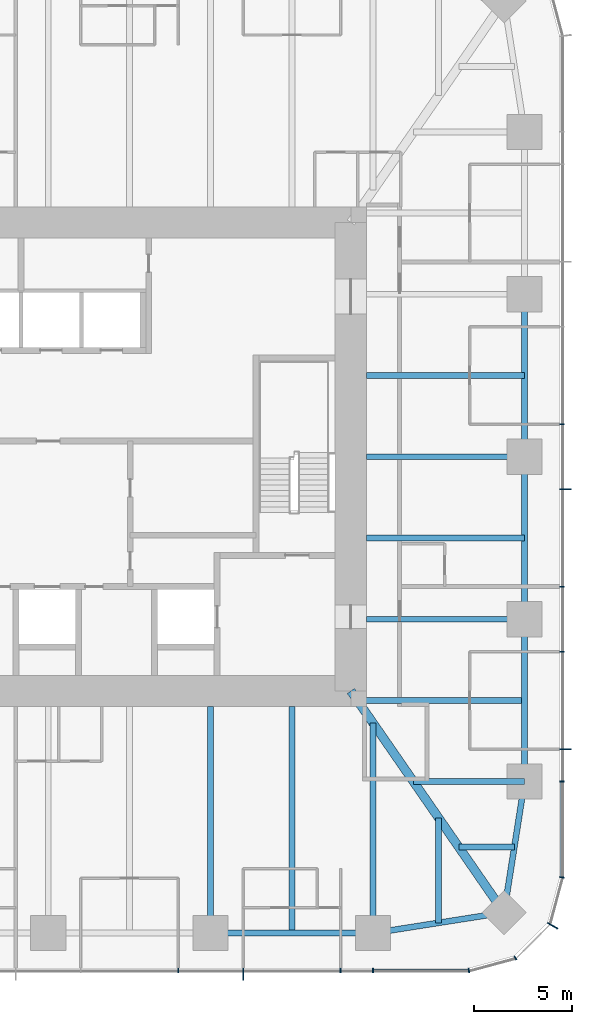
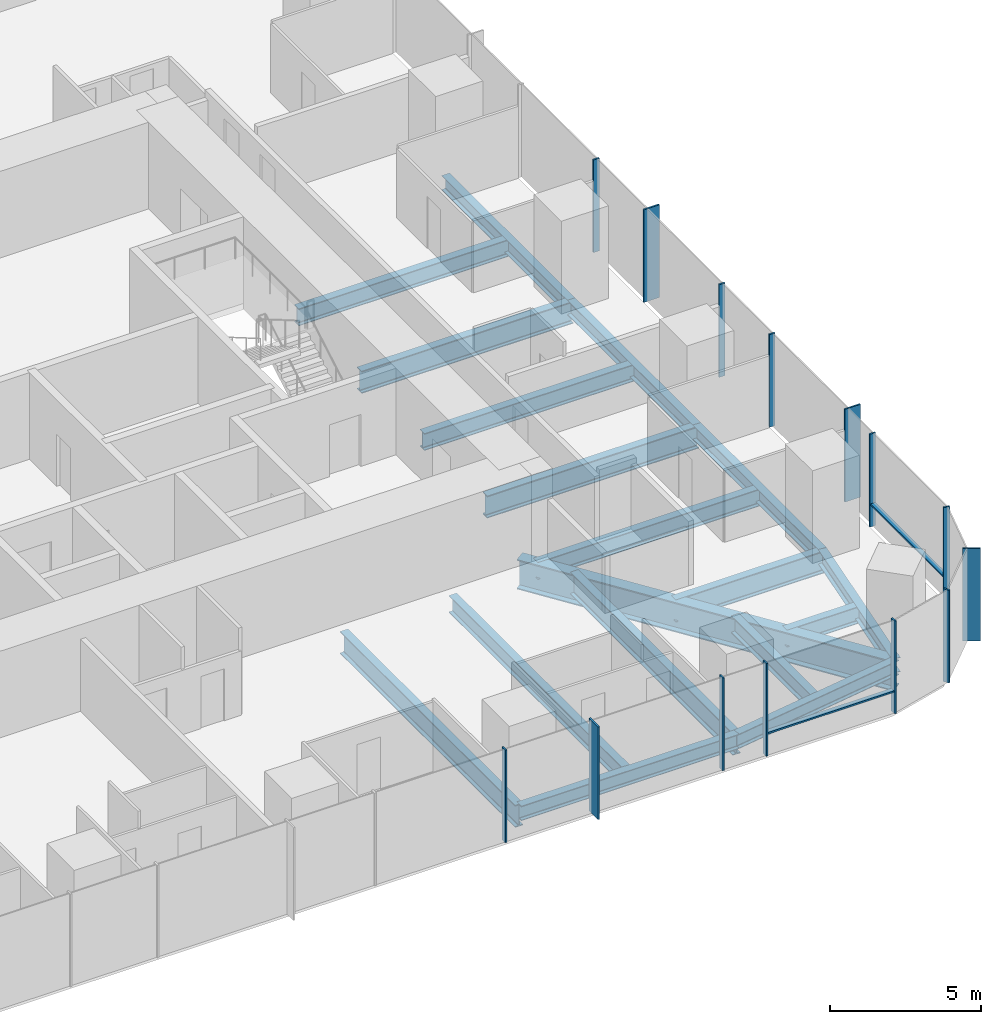
# One storey, part 4 of 12: 18 beams, 16 members, 3 elements without a shape of their own.
"""IFC4 building model written with IfcOpenShell, lengths in metres."""

from ifc_helpers import new_model, si_unit, direction, frame, origin, origin_2d, place, context, subcontext, project, spatial, rectangle, i_section, extrude, material, material_profile, profile_set, type_object, element, aggregate, save


model = new_model("IFC4")

# Units and contexts
model_context = context("Model", 3, precision=1e-05, world=origin(), true_north=direction((0.0, 1.0)))
body_context = subcontext(model_context, "Body", "Model", "MODEL_VIEW")
ifc_project = project(units=[si_unit("LENGTHUNIT", "METRE"), si_unit("AREAUNIT", "SQUARE_METRE"), si_unit("VOLUMEUNIT", "CUBIC_METRE"), si_unit("PLANEANGLEUNIT", "RADIAN"), si_unit("MASSUNIT", "GRAM", prefix="KILO")], contexts=[model_context])

# Site, building, storey
site_placement = place(None, origin())
site = spatial("IfcSite", under=ifc_project, at=site_placement, CompositionType="ELEMENT")
building_placement = place(site_placement, origin())
building = spatial("IfcBuilding", under=site, at=building_placement, Name="Khuree Lantern Residences", CompositionType="ELEMENT")
storey_placement = place(building_placement, frame((0.0, 0.0, 222.0)))
storey = spatial("IfcBuildingStorey", under=building, at=storey_placement, Name="L55", CompositionType="ELEMENT", Elevation=222.0)

# Beams
ifc_material_1 = material(Name="Steel S355", Category="steel")
ifc_material_profile_1 = material_profile(ifc_material_1, i_section(OverallWidth=0.300048828125, OverallDepth=0.68994140625, WebThickness=0.014404296875, FlangeThickness=0.027099609375, FilletRadius=0.027099609375, at=origin_2d()), Name="HE 700 A")
ifc_profile_set_1 = profile_set([ifc_material_profile_1], Name="Steel S355")
beam_type_1 = type_object("IfcBeamType", Name="B-32 SECONDARY BEAM HE 700 A", PredefinedType="BEAM", material=ifc_profile_set_1)
for number, where, z_axis, x_axis, name in (
    (1, (24.39990234375, 4.159912109375, -0.594970703125), (-1.0, 0.0, 0.0), (0.0, -1.0, 0.0), "Secondary beam E3"),
    (2, (24.39990234375, -4.159912109375, -0.594970703125), (-1.0, 0.0, 0.0), (0.0, -1.0, 0.0), "Secondary beam E4"),
):
    element("IfcBeam", number, at=place(storey_placement, frame(where, z_axis=z_axis, x_axis=x_axis)), inside=storey, type_object=beam_type_1, Name=name, PredefinedType="BEAM", context=body_context, shape_type="SweptSolid", body=[
        extrude(i_section(OverallWidth=0.300048828125, OverallDepth=0.68994140625, WebThickness=0.014404296875, FlangeThickness=0.027099609375, FilletRadius=0.027099609375, at=origin_2d()), origin(), (0.0, 0.0, 1.0), 8.099853515625),
    ])
beam_1_placement = place(storey_placement, frame((24.39990234375, -12.47998046875, -0.594970703125), z_axis=(-1.0, 0.0, 0.0), x_axis=(0.0, -1.0, 0.0)))
element("IfcBeam", 3, at=beam_1_placement, inside=storey, type_object=beam_type_1, Name="Secondary beam E5", PredefinedType="BEAM", context=body_context, shape_type="SweptSolid", body=[
    extrude(i_section(OverallWidth=0.300048828125, OverallDepth=0.68994140625, WebThickness=0.014404296875, FlangeThickness=0.027099609375, FilletRadius=0.027099609375, at=origin_2d()), origin(), (0.0, 0.0, 1.0), 8.56787109375),
])
beam_2_placement = place(storey_placement, frame((23.872802734375, -19.992919921875, -0.594970703125), z_axis=(-1.0, 0.0, 0.0), x_axis=(0.0, -1.0, 0.0)))
element("IfcBeam", 4, at=beam_2_placement, inside=storey, type_object=beam_type_1, Name="Secondary beam E6", PredefinedType="BEAM", context=body_context, shape_type="SweptSolid", body=[
    extrude(i_section(OverallWidth=0.300048828125, OverallDepth=0.68994140625, WebThickness=0.014404296875, FlangeThickness=0.027099609375, FilletRadius=0.027099609375, at=origin_2d()), origin(), (0.0, 0.0, 1.0), 2.845703125),
])
beam_3_placement = place(storey_placement, frame((19.992919921875, -23.872802734375, -0.594970703125), z_axis=(0.0, 1.0, 0.0), x_axis=(-1.0, 0.0, 0.0)))
element("IfcBeam", 5, at=beam_3_placement, inside=storey, type_object=beam_type_1, Name="Secondary beam S1", PredefinedType="BEAM", context=body_context, shape_type="SweptSolid", body=[
    extrude(i_section(OverallWidth=0.300048828125, OverallDepth=0.68994140625, WebThickness=0.014404296875, FlangeThickness=0.027099609375, FilletRadius=0.027099609375, at=origin_2d()), origin(), (0.0, 0.0, 1.0), 5.375732421875),
])
beam_4_placement = place(storey_placement, frame((12.47998046875, -24.39990234375, -0.594970703125), z_axis=(0.0, 1.0, 0.0), x_axis=(-1.0, 0.0, 0.0)))
element("IfcBeam", 6, at=beam_4_placement, inside=storey, type_object=beam_type_1, Name="Secondary beam S2", PredefinedType="BEAM", context=body_context, shape_type="SweptSolid", body=[
    extrude(i_section(OverallWidth=0.300048828125, OverallDepth=0.68994140625, WebThickness=0.014404296875, FlangeThickness=0.027099609375, FilletRadius=0.027099609375, at=origin_2d()), origin(), (0.0, 0.0, 1.0), 11.599853515625),
])
ifc_material_profile_2 = material_profile(ifc_material_1, i_section(OverallWidth=0.300048828125, OverallDepth=0.590087890625, WebThickness=0.012939453125, FlangeThickness=0.02490234375, FilletRadius=0.027099609375, at=origin_2d()), Name="HE 600 A")
ifc_profile_set_2 = profile_set([ifc_material_profile_2], Name="Steel S355")
beam_type_2 = type_object("IfcBeamType", Name="E-32 SPANDREL BEAM HE 600 A", PredefinedType="SPANDREL", material=ifc_profile_set_2)
for number, where, z_axis, x_axis, name in (
    (7, (24.39990234375, 8.320068359375, -0.544921875), (0.0, -1.0, 0.0), (1.0, 0.0, 0.0), "Spandrel beam E3"),
    (8, (24.39990234375, 0.0, -0.544921875), (0.0, -1.0, 0.0), (1.0, 0.0, 0.0), "Spandrel beam E4"),
):
    element("IfcBeam", number, at=place(storey_placement, frame(where, z_axis=z_axis, x_axis=x_axis)), inside=storey, type_object=beam_type_2, Name=name, PredefinedType="SPANDREL", context=body_context, shape_type="SweptSolid", body=[
        extrude(i_section(OverallWidth=0.300048828125, OverallDepth=0.590087890625, WebThickness=0.012939453125, FlangeThickness=0.02490234375, FilletRadius=0.027099609375, at=origin_2d()), origin(), (0.0, 0.0, 1.0), 8.320068359375),
    ])
beam_5_placement = place(storey_placement, frame((24.39990234375, -8.320068359375, -0.544921875), z_axis=(0.0, -1.0, 0.0), x_axis=(1.0, 0.0, 0.0)))
element("IfcBeam", 9, at=beam_5_placement, inside=storey, type_object=beam_type_2, Name="Spandrel beam E5", PredefinedType="SPANDREL", context=body_context, shape_type="SweptSolid", body=[
    extrude(i_section(OverallWidth=0.300048828125, OverallDepth=0.590087890625, WebThickness=0.012939453125, FlangeThickness=0.02490234375, FilletRadius=0.027099609375, at=origin_2d()), origin(), (0.0, 0.0, 1.0), 8.31982421875),
])
for number, where, z_axis, x_axis, name in (
    (10, (24.39990234375, -16.639892578125, -0.544921875), (-0.155299507442, -0.98786743189, 0.0), (0.98786743189, -0.155299507442, 0.0), "Spandrel beam E6"),
    (11, (23.345703125, -23.345703125, -0.544921875), (-0.98786743189, -0.155299507442, 0.0), (0.155299507442, -0.98786743189, 0.0), "Spandrel beam S1"),
):
    element("IfcBeam", number, at=place(storey_placement, frame(where, z_axis=z_axis, x_axis=x_axis)), inside=storey, type_object=beam_type_2, Name=name, PredefinedType="SPANDREL", context=body_context, shape_type="SweptSolid", body=[
        extrude(i_section(OverallWidth=0.300048828125, OverallDepth=0.590087890625, WebThickness=0.012939453125, FlangeThickness=0.02490234375, FilletRadius=0.027099609375, at=origin_2d()), origin(), (0.0, 0.0, 1.0), 6.7880859375),
    ])
beam_6_placement = place(storey_placement, frame((16.639892578125, -24.39990234375, -0.544921875), z_axis=(-1.0, 0.0, 0.0), x_axis=(0.0, -1.0, 0.0)))
element("IfcBeam", 12, at=beam_6_placement, inside=storey, type_object=beam_type_2, Name="Spandrel beam S2", PredefinedType="SPANDREL", context=body_context, shape_type="SweptSolid", body=[
    extrude(i_section(OverallWidth=0.300048828125, OverallDepth=0.590087890625, WebThickness=0.012939453125, FlangeThickness=0.02490234375, FilletRadius=0.027099609375, at=origin_2d()), origin(), (0.0, 0.0, 1.0), 8.31982421875),
])

# Curtain wall, member
ifc_material_2 = material(Name="Bronze anodised aluminium", Category="aluminium")
curtain_wall_type_1 = type_object("IfcCurtainWallType", Name="CW-T2 TOWER CORNER CURTAIN WALL", PredefinedType="USERDEFINED", material=ifc_material_2)
curtain_wall_1_placement = place(storey_placement, origin())
curtain_wall_1 = element("IfcCurtainWall", 13, at=curtain_wall_1_placement, inside=storey, type_object=curtain_wall_type_1, Name="L55 SOUTH-EAST CORNER CURTAIN WALL", ObjectType="Faceted corner curtain wall", PredefinedType="USERDEFINED")
ifc_material_profile_3 = material_profile(ifc_material_2, rectangle(XDim=0.06494140625, YDim=0.60009765625, at=origin_2d()), Name="F1 65X600")
ifc_profile_set_3 = profile_set([ifc_material_profile_3], Name="Bronze anodised aluminium")
member_type_1 = type_object("IfcMemberType", Name="F1 BRONZE FIN MULLION TOWER 65X600", PredefinedType="MULLION", material=ifc_profile_set_3)
member_1_placement = place(storey_placement, frame((25.8369140625, -24.02490234375, 0.0), z_axis=(0.0, 0.0, 1.0), x_axis=(0.499999989586, 0.866025409797, 0.0)))
member_1 = element("IfcMember", 14, at=member_1_placement, type_object=member_type_1, Name="L55 SOUTH-EAST CORNER FIN MULLION 3", PredefinedType="MULLION", context=body_context, shape_type="SweptSolid", body=[
    extrude(rectangle(XDim=0.06494140625, YDim=0.60009765625, at=origin_2d()), origin(), (0.0, 0.0, 1.0), 3.75),
])

# Curtain wall, members
curtain_wall_type_2 = type_object("IfcCurtainWallType", Name="CW-T1 TOWER FACE CURTAIN WALL", PredefinedType="USERDEFINED", material=ifc_material_2)
curtain_wall_2_placement = place(storey_placement, origin())
curtain_wall_2 = element("IfcCurtainWall", 15, at=curtain_wall_2_placement, inside=storey, type_object=curtain_wall_type_2, Name="L55 EAST FACE CURTAIN WALL", ObjectType="Stick-built curtain wall", PredefinedType="USERDEFINED")
member_2_placement = place(storey_placement, frame((26.5, -14.97607421875, 0.0), z_axis=(0.0, 0.0, 1.0), x_axis=(0.0, 1.0, 0.0)))
member_2 = element("IfcMember", 16, at=member_2_placement, type_object=member_type_1, Name="L55 EAST FACE FIN MULLION 6", PredefinedType="MULLION", context=body_context, shape_type="SweptSolid", body=[
    extrude(rectangle(XDim=0.06494140625, YDim=0.60009765625, at=origin_2d()), origin(), (0.0, 0.0, 1.0), 3.75),
])
member_3_placement = place(storey_placement, frame((26.5, -1.6640625, 0.0), z_axis=(0.0, 0.0, 1.0), x_axis=(0.0, 1.0, 0.0)))
member_3 = element("IfcMember", 17, at=member_3_placement, type_object=member_type_1, Name="L55 EAST FACE FIN MULLION 9", PredefinedType="MULLION", context=body_context, shape_type="SweptSolid", body=[
    extrude(rectangle(XDim=0.06494140625, YDim=0.60009765625, at=origin_2d()), origin(), (0.0, 0.0, 1.0), 3.75),
])

# Curtain wall, member
curtain_wall_3_placement = place(storey_placement, origin())
curtain_wall_3 = element("IfcCurtainWall", 18, at=curtain_wall_3_placement, inside=storey, type_object=curtain_wall_type_2, Name="L55 SOUTH FACE CURTAIN WALL", ObjectType="Stick-built curtain wall", PredefinedType="USERDEFINED")
member_4_placement = place(storey_placement, frame((9.98388671875, -26.5, 0.0), z_axis=(0.0, 0.0, 1.0), x_axis=(1.0, 0.0, 0.0)))
member_4 = element("IfcMember", 19, at=member_4_placement, type_object=member_type_1, Name="L55 SOUTH FACE FIN MULLION 54", PredefinedType="MULLION", context=body_context, shape_type="SweptSolid", body=[
    extrude(rectangle(XDim=0.06494140625, YDim=0.60009765625, at=origin_2d()), origin(), (0.0, 0.0, 1.0), 3.75),
])

# Beams
ifc_material_profile_4 = material_profile(ifc_material_1, i_section(OverallWidth=0.300048828125, OverallDepth=0.89990234375, WebThickness=0.0185546875, FlangeThickness=0.034912109375, FilletRadius=0.030029296875, at=origin_2d()), Name="HE 900 B")
ifc_profile_set_4 = profile_set([ifc_material_profile_4], Name="Steel S355")
beam_type_3 = type_object("IfcBeamType", Name="G-32 GIRDER HE 900 B", PredefinedType="BEAM", material=ifc_profile_set_4)
for number, where, z_axis, x_axis, name in (
    (20, (24.39990234375, 0.0, -0.699951171875), (-1.0, 0.0, 0.0), (0.0, -1.0, 0.0), "Girder E3"),
    (21, (24.39990234375, -8.320068359375, -0.699951171875), (-1.0, 0.0, 0.0), (0.0, -1.0, 0.0), "Girder E4"),
):
    element("IfcBeam", number, at=place(storey_placement, frame(where, z_axis=z_axis, x_axis=x_axis)), inside=storey, type_object=beam_type_3, Name=name, PredefinedType="BEAM", context=body_context, shape_type="SweptSolid", body=[
        extrude(i_section(OverallWidth=0.300048828125, OverallDepth=0.89990234375, WebThickness=0.0185546875, FlangeThickness=0.034912109375, FilletRadius=0.030029296875, at=origin_2d()), origin(), (0.0, 0.0, 1.0), 8.099853515625),
    ])
beam_7_placement = place(storey_placement, frame((24.39990234375, -16.639892578125, -0.699951171875), z_axis=(-1.0, 0.0, 0.0), x_axis=(0.0, -1.0, 0.0)))
element("IfcBeam", 22, at=beam_7_placement, inside=storey, type_object=beam_type_3, Name="Girder E5", PredefinedType="BEAM", context=body_context, shape_type="SweptSolid", body=[
    extrude(i_section(OverallWidth=0.300048828125, OverallDepth=0.89990234375, WebThickness=0.0185546875, FlangeThickness=0.034912109375, FilletRadius=0.030029296875, at=origin_2d()), origin(), (0.0, 0.0, 1.0), 5.69140625),
])
beam_8_placement = place(storey_placement, frame((16.639892578125, -24.39990234375, -0.699951171875), z_axis=(0.0, 1.0, 0.0), x_axis=(-1.0, 0.0, 0.0)))
element("IfcBeam", 23, at=beam_8_placement, inside=storey, type_object=beam_type_3, Name="Girder S1", PredefinedType="BEAM", context=body_context, shape_type="SweptSolid", body=[
    extrude(i_section(OverallWidth=0.300048828125, OverallDepth=0.89990234375, WebThickness=0.0185546875, FlangeThickness=0.034912109375, FilletRadius=0.030029296875, at=origin_2d()), origin(), (0.0, 0.0, 1.0), 10.751220703125),
])
beam_9_placement = place(storey_placement, frame((8.320068359375, -24.39990234375, -0.699951171875), z_axis=(0.0, 1.0, 0.0), x_axis=(-1.0, 0.0, 0.0)))
element("IfcBeam", 24, at=beam_9_placement, inside=storey, type_object=beam_type_3, Name="Girder S2", PredefinedType="BEAM", context=body_context, shape_type="SweptSolid", body=[
    extrude(i_section(OverallWidth=0.300048828125, OverallDepth=0.89990234375, WebThickness=0.0185546875, FlangeThickness=0.034912109375, FilletRadius=0.030029296875, at=origin_2d()), origin(), (0.0, 0.0, 1.0), 11.599853515625),
])
ifc_material_profile_5 = material_profile(ifc_material_1, i_section(OverallWidth=0.449951171875, OverallDepth=1.199951171875, WebThickness=0.02490234375, FlangeThickness=0.044921875, at=origin_2d()), Name="WELDED I 1200X450X25X45")
ifc_profile_set_5 = profile_set([ifc_material_profile_5], Name="Steel S355")
beam_type_4 = type_object("IfcBeamType", Name="GD-32 CORNER GIRDER WELDED I 1200X450X25X45", PredefinedType="BEAM", material=ifc_profile_set_5)
beam_10_placement = place(storey_placement, frame((23.345703125, -23.345703125, -0.85009765625), z_axis=(-0.56876813501, 0.822497907959, 0.0), x_axis=(-0.822497907959, -0.56876813501, 0.0)))
element("IfcBeam", 25, at=beam_10_placement, inside=storey, type_object=beam_type_4, Name="Corner girder SE", PredefinedType="BEAM", context=body_context, shape_type="SweptSolid", body=[
    extrude(i_section(OverallWidth=0.449951171875, OverallDepth=1.199951171875, WebThickness=0.02490234375, FlangeThickness=0.044921875, at=origin_2d()), origin(), (0.0, 0.0, 1.0), 13.794189453125),
])

# Member
ifc_material_profile_6 = material_profile(ifc_material_2, rectangle(XDim=0.06494140625, YDim=0.219970703125, at=origin_2d()), Name="M1 65X220")
ifc_profile_set_6 = profile_set([ifc_material_profile_6], Name="Bronze anodised aluminium")
member_type_2 = type_object("IfcMemberType", Name="M1 BRONZE MULLION TOWER 65X220", PredefinedType="MULLION", material=ifc_profile_set_6)
member_5_placement = place(storey_placement, frame((21.544921875, -26.311767578125, 0.0), z_axis=(0.0, 0.0, 1.0), x_axis=(0.991444862943, 0.130526180298, 0.0)))
member_5 = element("IfcMember", 26, at=member_5_placement, type_object=member_type_2, Name="L55 SOUTH-EAST CORNER MULLION 1", PredefinedType="MULLION", context=body_context, shape_type="SweptSolid", body=[
    extrude(rectangle(XDim=0.06494140625, YDim=0.219970703125, at=origin_2d()), origin(), (0.0, 0.0, 1.0), 3.75),
])

member_6_placement = place(storey_placement, frame((23.929931640625, -25.67236328125, 0.0), z_axis=(0.0, 0.0, 1.0), x_axis=(0.866025409797, 0.499999989586, 0.0)))
member_6 = element("IfcMember", 27, at=member_6_placement, type_object=member_type_2, Name="L55 SOUTH-EAST CORNER MULLION 2", PredefinedType="MULLION", context=body_context, shape_type="SweptSolid", body=[
    extrude(rectangle(XDim=0.06494140625, YDim=0.219970703125, at=origin_2d()), origin(), (0.0, 0.0, 1.0), 3.75),
])

aggregate(curtain_wall_1, [member_5, member_6, member_1])

member_7_placement = place(storey_placement, frame((26.311767578125, -21.544921875, 0.0), z_axis=(0.0, 0.0, 1.0), x_axis=(0.130526180298, 0.991444862943, 0.0)))
member_7 = element("IfcMember", 28, at=member_7_placement, type_object=member_type_2, Name="L55 EAST FACE MULLION 4", PredefinedType="MULLION", context=body_context, shape_type="SweptSolid", body=[
    extrude(rectangle(XDim=0.06494140625, YDim=0.219970703125, at=origin_2d()), origin(), (0.0, 0.0, 1.0), 3.75),
])

member_8_placement = place(storey_placement, frame((26.31005859375, -16.639892578125, 0.0), z_axis=(0.0, 0.0, 1.0), x_axis=(0.0, 1.0, 0.0)))
member_8 = element("IfcMember", 29, at=member_8_placement, type_object=member_type_2, Name="L55 EAST FACE MULLION 5", PredefinedType="MULLION", context=body_context, shape_type="SweptSolid", body=[
    extrude(rectangle(XDim=0.06494140625, YDim=0.219970703125, at=origin_2d()), origin(), (0.0, 0.0, 1.0), 3.75),
])

member_9_placement = place(storey_placement, frame((26.31005859375, -9.98388671875, 0.0), z_axis=(0.0, 0.0, 1.0), x_axis=(0.0, 1.0, 0.0)))
member_9 = element("IfcMember", 30, at=member_9_placement, type_object=member_type_2, Name="L55 EAST FACE MULLION 7", PredefinedType="MULLION", context=body_context, shape_type="SweptSolid", body=[
    extrude(rectangle(XDim=0.06494140625, YDim=0.219970703125, at=origin_2d()), origin(), (0.0, 0.0, 1.0), 3.75),
])

member_10_placement = place(storey_placement, frame((26.31005859375, -6.656005859375, 0.0), z_axis=(0.0, 0.0, 1.0), x_axis=(0.0, 1.0, 0.0)))
member_10 = element("IfcMember", 31, at=member_10_placement, type_object=member_type_2, Name="L55 EAST FACE MULLION 8", PredefinedType="MULLION", context=body_context, shape_type="SweptSolid", body=[
    extrude(rectangle(XDim=0.06494140625, YDim=0.219970703125, at=origin_2d()), origin(), (0.0, 0.0, 1.0), 3.75),
])

member_11_placement = place(storey_placement, frame((26.31005859375, 1.6640625, 0.0), z_axis=(0.0, 0.0, 1.0), x_axis=(0.0, 1.0, 0.0)))
member_11 = element("IfcMember", 32, at=member_11_placement, type_object=member_type_2, Name="L55 EAST FACE MULLION 10", PredefinedType="MULLION", context=body_context, shape_type="SweptSolid", body=[
    extrude(rectangle(XDim=0.06494140625, YDim=0.219970703125, at=origin_2d()), origin(), (0.0, 0.0, 1.0), 3.75),
])

member_12_placement = place(storey_placement, frame((6.656005859375, -26.31005859375, 0.0), z_axis=(0.0, 0.0, 1.0), x_axis=(1.0, 0.0, 0.0)))
member_12 = element("IfcMember", 33, at=member_12_placement, type_object=member_type_2, Name="L55 SOUTH FACE MULLION 53", PredefinedType="MULLION", context=body_context, shape_type="SweptSolid", body=[
    extrude(rectangle(XDim=0.06494140625, YDim=0.219970703125, at=origin_2d()), origin(), (0.0, 0.0, 1.0), 3.75),
])

member_13_placement = place(storey_placement, frame((14.97607421875, -26.31005859375, 0.0), z_axis=(0.0, 0.0, 1.0), x_axis=(1.0, 0.0, 0.0)))
member_13 = element("IfcMember", 34, at=member_13_placement, type_object=member_type_2, Name="L55 SOUTH FACE MULLION 55", PredefinedType="MULLION", context=body_context, shape_type="SweptSolid", body=[
    extrude(rectangle(XDim=0.06494140625, YDim=0.219970703125, at=origin_2d()), origin(), (0.0, 0.0, 1.0), 3.75),
])

member_14_placement = place(storey_placement, frame((16.639892578125, -26.31005859375, 0.0), z_axis=(0.0, 0.0, 1.0), x_axis=(1.0, 0.0, 0.0)))
member_14 = element("IfcMember", 35, at=member_14_placement, type_object=member_type_2, Name="L55 SOUTH FACE MULLION 56", PredefinedType="MULLION", context=body_context, shape_type="SweptSolid", body=[
    extrude(rectangle(XDim=0.06494140625, YDim=0.219970703125, at=origin_2d()), origin(), (0.0, 0.0, 1.0), 3.75),
])

ifc_material_profile_7 = material_profile(ifc_material_2, rectangle(XDim=0.179931640625, YDim=0.06494140625, at=origin_2d()), Name="T1 180X65")
ifc_profile_set_7 = profile_set([ifc_material_profile_7], Name="Bronze anodised aluminium")
member_type_3 = type_object("IfcMemberType", Name="TRANSOM T1 TOWER 180X65", PredefinedType="USERDEFINED", material=ifc_profile_set_7)
member_15_placement = place(storey_placement, frame((26.320068359375, -21.50146484375, 0.89990234375), z_axis=(0.0, 1.0, 0.0), x_axis=(-1.0, 0.0, 0.0)))
member_15 = element("IfcMember", 36, at=member_15_placement, type_object=member_type_3, Name="L55 EAST FACE TRANSOM 4.1", ObjectType="Transom", PredefinedType="USERDEFINED", context=body_context, shape_type="SweptSolid", body=[
    extrude(rectangle(XDim=0.179931640625, YDim=0.06494140625, at=origin_2d()), origin(), (0.0, 0.0, 1.0), 4.828857421875),
])

aggregate(curtain_wall_2, [member_7, member_8, member_2, member_9, member_10, member_3, member_11, member_15])

member_16_placement = place(storey_placement, frame((16.672607421875, -26.320068359375, 0.89990234375), z_axis=(1.0, 0.0, 0.0), x_axis=(0.0, 1.0, 0.0)))
member_16 = element("IfcMember", 37, at=member_16_placement, type_object=member_type_3, Name="L55 SOUTH FACE TRANSOM 56.1", ObjectType="Transom", PredefinedType="USERDEFINED", context=body_context, shape_type="SweptSolid", body=[
    extrude(rectangle(XDim=0.179931640625, YDim=0.06494140625, at=origin_2d()), origin(), (0.0, 0.0, 1.0), 4.828857421875),
])

aggregate(curtain_wall_3, [member_12, member_4, member_13, member_14, member_16])

save(model, "model.ifc")
